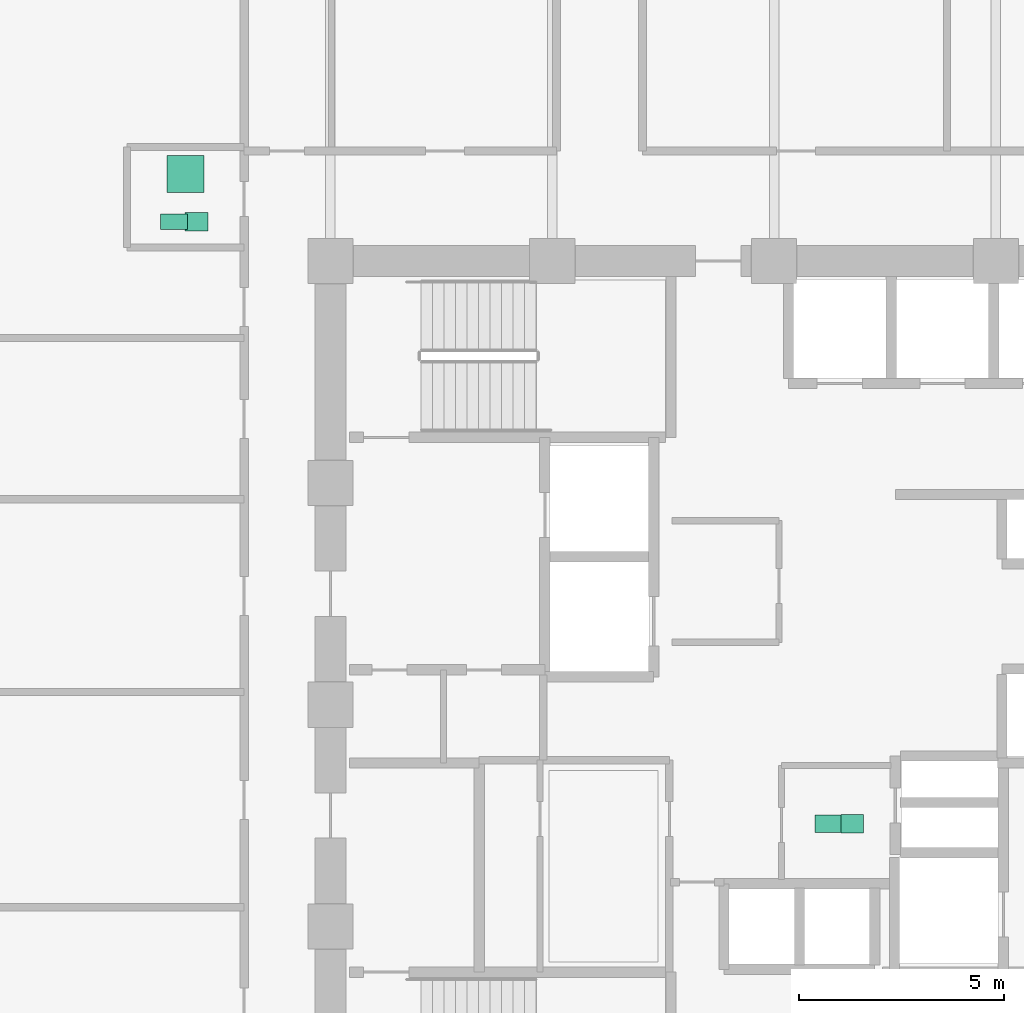
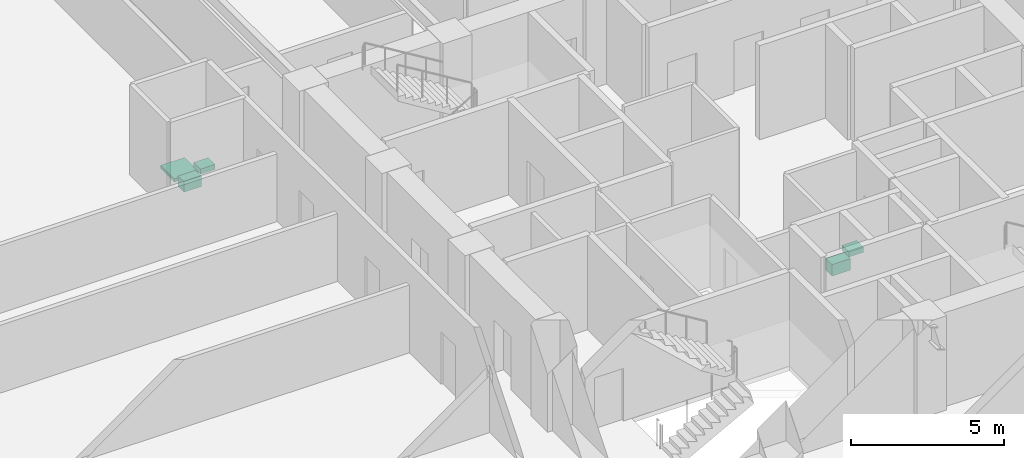
# One storey, part 24 of 24: 5 sanitary terminals.
"""IFC4 building model written with IfcOpenShell, lengths in metres."""

from ifc_helpers import new_model, si_unit, direction, frame, origin, origin_2d, place, context, subcontext, project, spatial, rectangle, extrude, material, type_object, element, save


model = new_model("IFC4")

# Units and contexts
model_context = context("Model", 3, precision=1e-05, world=origin(), true_north=direction((0.0, 1.0)))
body_context = subcontext(model_context, "Body", "Model", "MODEL_VIEW")
ifc_project = project(units=[si_unit("LENGTHUNIT", "METRE"), si_unit("AREAUNIT", "SQUARE_METRE"), si_unit("VOLUMEUNIT", "CUBIC_METRE"), si_unit("PLANEANGLEUNIT", "RADIAN"), si_unit("MASSUNIT", "GRAM", prefix="KILO")], contexts=[model_context])

# Site, building, storey
site_placement = place(None, origin())
site = spatial("IfcSite", under=ifc_project, at=site_placement, CompositionType="ELEMENT")
building_placement = place(site_placement, origin())
building = spatial("IfcBuilding", under=site, at=building_placement, Name="Surkhivell Harbour Commons", CompositionType="ELEMENT")
storey_placement = place(building_placement, frame((0.0, 0.0, 105.75)))
storey = spatial("IfcBuildingStorey", under=building, at=storey_placement, Name="L27", CompositionType="ELEMENT", Elevation=105.75)

# Sanitary terminals
ifc_material_1 = material(Name="Vitreous china washbasin", Category="other")
sanitary_terminal_type_1 = type_object("IfcSanitaryTerminalType", Name="SAN-BSN", PredefinedType="WASHHANDBASIN", material=ifc_material_1)
for number, where, z_axis, x_axis, name in (
    (1, (1.89990234375, -2.89990234375, 0.72021484375), (0.0, 0.0, 1.0), (1.0, 0.0, 0.0), "L27 Core Accessible WC Washbasin"),
    (2, (-14.06005859375, 11.760009765625, 0.72021484375), (0.0, 0.0, 1.0), (1.0, 0.0, 0.0), "L27 West Communal Bathroom WC Washbasin"),
):
    element("IfcSanitaryTerminal", number, at=place(storey_placement, frame(where, z_axis=z_axis, x_axis=x_axis)), inside=storey, type_object=sanitary_terminal_type_1, Name=name, PredefinedType="WASHHANDBASIN", context=body_context, shape_type="SweptSolid", body=[
        extrude(rectangle(XDim=0.550048828125, YDim=0.449951171875, at=origin_2d()), origin(), (0.0, 0.0, 1.0), 0.199951171875),
    ])
ifc_material_2 = material(Name="Glazed porcelain shower tray", Category="other")
sanitary_terminal_type_2 = type_object("IfcSanitaryTerminalType", Name="SAN-SHW", PredefinedType="SHOWER", material=ifc_material_2)
sanitary_terminal_1_placement = place(storey_placement, frame((-14.330078125, 12.919921875, 0.0), z_axis=(0.0, 0.0, 1.0), x_axis=(1.0, 0.0, 0.0)))
element("IfcSanitaryTerminal", 3, at=sanitary_terminal_1_placement, inside=storey, type_object=sanitary_terminal_type_2, Name="L27 West Communal Shower Tray", PredefinedType="SHOWER", context=body_context, shape_type="SweptSolid", body=[
    extrude(rectangle(XDim=0.89990234375, YDim=0.89990234375, at=origin_2d()), origin(), (0.0, 0.0, 1.0), 0.1201171875),
])
ifc_material_3 = material(Name="Vitreous china sanitaryware", Category="other")
sanitary_terminal_type_3 = type_object("IfcSanitaryTerminalType", Name="SAN-WC-ACC", PredefinedType="TOILETPAN", material=ifc_material_3)
sanitary_terminal_2_placement = place(storey_placement, frame((1.35009765625, -2.89990234375, 0.169921875), z_axis=(0.0, 0.0, 1.0), x_axis=(1.0, 0.0, 0.0)))
element("IfcSanitaryTerminal", 4, at=sanitary_terminal_2_placement, inside=storey, type_object=sanitary_terminal_type_3, Name="L27 Core Accessible WC", PredefinedType="TOILETPAN", context=body_context, shape_type="SweptSolid", body=[
    extrude(rectangle(XDim=0.699951171875, YDim=0.419921875, at=origin_2d()), origin(), (0.0, 0.0, 1.0), 0.4599609375),
])
sanitary_terminal_type_4 = type_object("IfcSanitaryTerminalType", Name="SAN-WC-STD", PredefinedType="TOILETPAN", material=ifc_material_3)
sanitary_terminal_3_placement = place(storey_placement, frame((-14.610107421875, 11.760009765625, 0.18994140625), z_axis=(0.0, 0.0, 1.0), x_axis=(1.0, 0.0, 0.0)))
element("IfcSanitaryTerminal", 5, at=sanitary_terminal_3_placement, inside=storey, type_object=sanitary_terminal_type_4, Name="L27 West Communal Bathroom WC", PredefinedType="TOILETPAN", context=body_context, shape_type="SweptSolid", body=[
    extrude(rectangle(XDim=0.64990234375, YDim=0.3798828125, at=origin_2d()), origin(), (0.0, 0.0, 1.0), 0.419921875),
])

save(model, "model.ifc")
